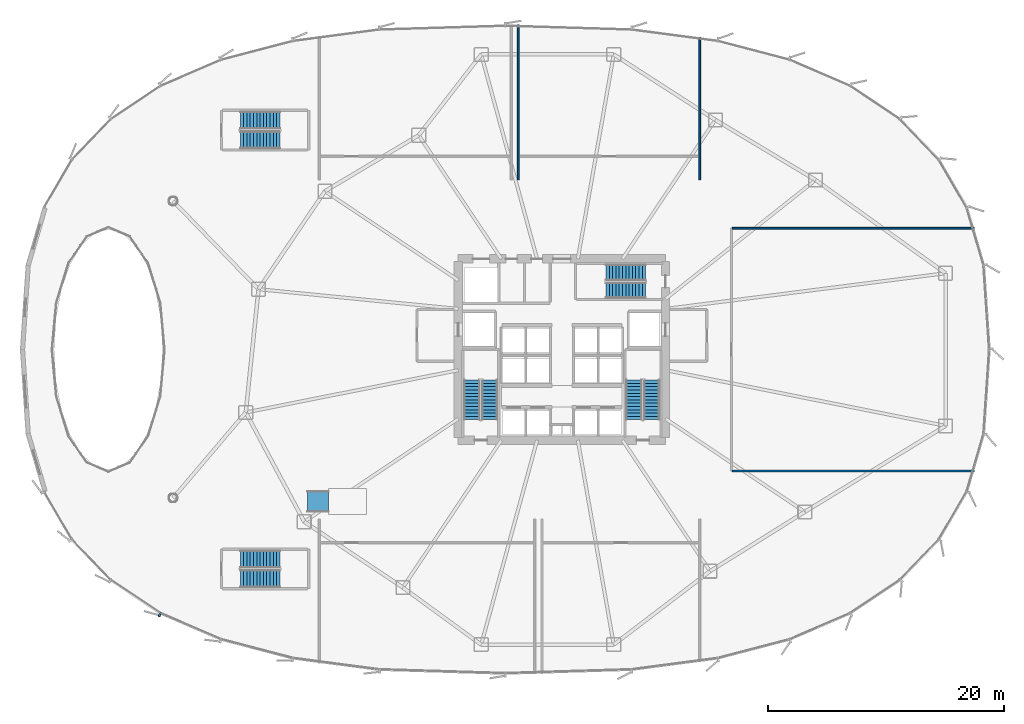
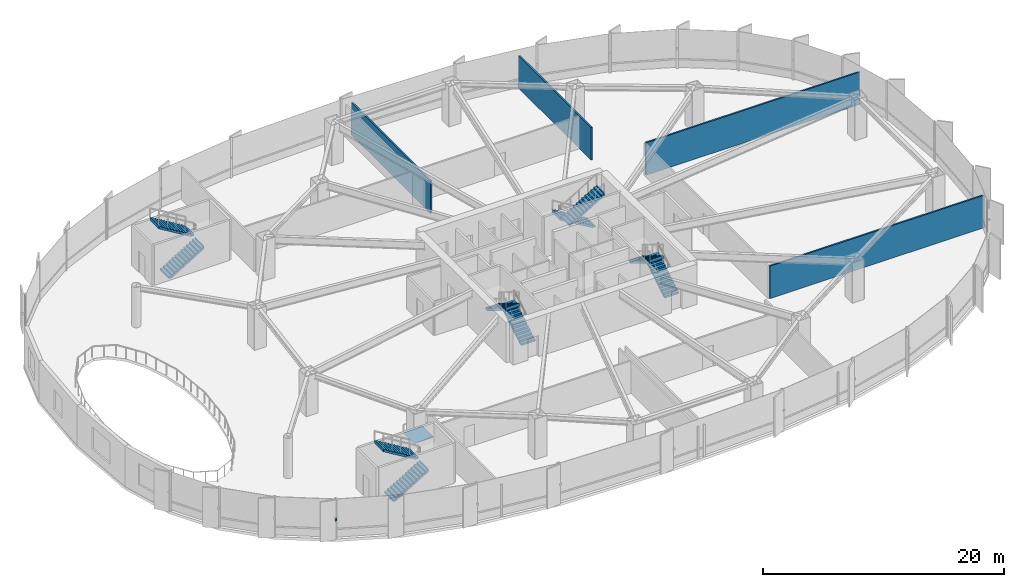
# One storey, part 26 of 34: 10 stair flights, 4 walls, 1 discrete accessory, 1 ramp flight, 6 elements without a shape of their own.
"""IFC4 building model written with IfcOpenShell, lengths in metres."""

from ifc_helpers import new_model, si_unit, direction, frame, frame_2d, origin, origin_2d, place, context, subcontext, project, spatial, polyline, rectangle, outline, extrude, source, transform, mapped, material, layer, layer_set, type_object, element, aggregate, save


model = new_model("IFC4")

# Units and contexts
model_context = context("Model", 3, precision=1e-05, world=origin(), true_north=direction((0.0, 1.0)))
body_context = subcontext(model_context, "Body", "Model", "MODEL_VIEW")
ifc_project = project(units=[si_unit("LENGTHUNIT", "METRE"), si_unit("AREAUNIT", "SQUARE_METRE"), si_unit("VOLUMEUNIT", "CUBIC_METRE"), si_unit("PLANEANGLEUNIT", "RADIAN"), si_unit("MASSUNIT", "GRAM", prefix="KILO"), si_unit("THERMODYNAMICTEMPERATUREUNIT", "KELVIN")], contexts=[model_context])

# Site, building, storey
site_placement = place(None, origin())
site = spatial("IfcSite", under=ifc_project, at=site_placement, CompositionType="ELEMENT")
building_placement = place(site_placement, origin())
building = spatial("IfcBuilding", under=site, at=building_placement, Name="Kethvar Cultural Tower", CompositionType="ELEMENT")
storey_placement = place(building_placement, frame((0.0, 0.0, 19.60009765625)))
storey = spatial("IfcBuildingStorey", under=building, at=storey_placement, Name="L04", CompositionType="ELEMENT", Elevation=19.60009765625)

# Walls
ifc_material_1 = material(Name="Gypsum Acoustic Partition")
ifc_layer_1 = layer(ifc_material_1, 0.14990234375, Name="Gypsum Acoustic Partition")
ifc_layer_set_1 = layer_set([ifc_layer_1], Name="Gypsum Acoustic Partition (150 mm)")
wall_type = type_object("IfcWallType", Name="WL-PART-150", PredefinedType="PARTITIONING", material=ifc_layer_set_1)
for number, where, z_axis, x_axis, name in (
    (1, (61.280029296875, 17.5, 0.0), (0.0, 0.0, 1.0), (1.0, 0.0, 0.0), "L04 Chamber Recital Hall Side Wall B"),
    (2, (61.280029296875, 38.10009765625, 0.0), (0.0, 0.0, 1.0), (1.0, 0.0, 0.0), "L04 Chamber Recital Hall Side Wall T"),
):
    element("IfcWall", number, at=place(storey_placement, frame(where, z_axis=z_axis, x_axis=x_axis)), inside=storey, type_object=wall_type, Name=name, PredefinedType="PARTITIONING", context=body_context, shape_type="SweptSolid", body=[
        extrude(rectangle(XDim=20.521240234375, YDim=0.14990234375, at=frame_2d((10.2607421875, 0.0))), origin(), (0.0, 0.0, 1.0), 3.29296875),
    ])
wall_1_placement = place(storey_placement, frame((43.10009765625, 42.199951171875, 0.0), z_axis=(0.0, 0.0, 1.0), x_axis=(0.0, 1.0, 0.0)))
element("IfcWall", 3, at=wall_1_placement, inside=storey, type_object=wall_type, Name="L04 Library Fellows' Lounge Side Wall L", PredefinedType="PARTITIONING", context=body_context, shape_type="SweptSolid", body=[
    extrude(rectangle(XDim=13.166748046875, YDim=0.14990234375, at=frame_2d((6.58349609375, 0.0))), origin(), (0.0, 0.0, 1.0), 3.29296875),
])
wall_2_placement = place(storey_placement, frame((58.5, 42.199951171875, 0.0), z_axis=(0.0, 0.0, 1.0), x_axis=(0.0, 1.0, 0.0)))
element("IfcWall", 4, at=wall_2_placement, inside=storey, type_object=wall_type, Name="L04 Library Fellows' Lounge Side Wall R", PredefinedType="PARTITIONING", context=body_context, shape_type="SweptSolid", body=[
    extrude(rectangle(XDim=12.11474609375, YDim=0.14990234375, at=frame_2d((6.057373046875, 0.0))), origin(), (0.0, 0.0, 1.0), 3.29296875),
])

# Stair, stair flights
ifc_material_2 = material(Name="Concrete C40/50", Category="concrete")
stair_type_1 = type_object("IfcStairType", Name="ST-DOGLEG-135", PredefinedType="HALF_TURN_STAIR", material=ifc_material_2)
stair_1_placement = place(storey_placement, origin())
stair_1 = element("IfcStair", 5, at=stair_1_placement, inside=storey, type_object=stair_type_1, Name="L04 Core Exit Stair 1", PredefinedType="HALF_TURN_STAIR")
stair_flight_type_1 = type_object("IfcStairFlightType", Name="FL-STRAIGHT-135", PredefinedType="STRAIGHT", material=ifc_material_2)
stair_flight_1_placement = place(storey_placement, frame((40.675048828125, 21.85009765625, 0.0), z_axis=(0.0, 0.0, 1.0), x_axis=(0.0, 1.0, 0.0)))
stair_flight_1 = element("IfcStairFlight", 6, at=stair_flight_1_placement, type_object=stair_flight_type_1, Name="ST-01 flight 1", NumberOfRisers=13, NumberOfTreads=12, PredefinedType="STRAIGHT", RiserHeight=0.169230769, TreadLength=0.28, context=body_context, shape_type="SweptSolid", body=[
    extrude(outline(polyline([(-0.0009765625, -0.0009765625), (-0.0009765625, 0.169189453125), (0.280029296875, 0.169189453125), (0.280029296875, 0.33837890625), (0.56005859375, 0.33837890625), (0.56005859375, 0.5078125), (0.840087890625, 0.5078125), (0.840087890625, 0.677001953125), (1.1201171875, 0.677001953125), (1.1201171875, 0.84619140625), (1.39990234375, 0.84619140625), (1.39990234375, 1.015380859375), (1.679931640625, 1.015380859375), (1.679931640625, 1.1845703125), (1.9599609375, 1.1845703125), (1.9599609375, 1.353759765625), (2.239990234375, 1.353759765625), (2.239990234375, 1.523193359375), (2.52001953125, 1.523193359375), (2.52001953125, 1.6923828125), (2.800048828125, 1.6923828125), (2.800048828125, 1.861572265625), (3.080078125, 1.861572265625), (3.080078125, 2.03076171875), (3.360107421875, 2.03076171875), (3.360107421875, 2.199951171875), (3.361083984375, 2.199951171875), (3.361083984375, 1.855712890625), (0.289794921875, 0.0), (0.0, -0.0009765625), (-0.0009765625, -0.0009765625)])), frame((0.0, 0.675048828125, 0.0), z_axis=(0.0, -1.0, 0.0), x_axis=(1.0, 0.0, 0.0)), (0.0, 0.0, 1.0), 1.35009765625),
])
stair_flight_2_placement = place(storey_placement, frame((39.1650390625, 25.2099609375, 2.199951171875), z_axis=(0.0, 0.0, 1.0), x_axis=(0.0, -1.0, 0.0)))
stair_flight_2 = element("IfcStairFlight", 7, at=stair_flight_2_placement, type_object=stair_flight_type_1, Name="ST-01 flight 2", NumberOfRisers=13, NumberOfTreads=12, PredefinedType="STRAIGHT", RiserHeight=0.169230769, TreadLength=0.28, context=body_context, shape_type="SweptSolid", body=[
    extrude(outline(polyline([(-0.0009765625, -0.0009765625), (-0.0009765625, 0.169189453125), (0.280029296875, 0.169189453125), (0.280029296875, 0.33837890625), (0.56005859375, 0.33837890625), (0.56005859375, 0.5078125), (0.840087890625, 0.5078125), (0.840087890625, 0.677001953125), (1.1201171875, 0.677001953125), (1.1201171875, 0.84619140625), (1.39990234375, 0.84619140625), (1.39990234375, 1.015380859375), (1.679931640625, 1.015380859375), (1.679931640625, 1.1845703125), (1.9599609375, 1.1845703125), (1.9599609375, 1.353759765625), (2.239990234375, 1.353759765625), (2.239990234375, 1.523193359375), (2.52001953125, 1.523193359375), (2.52001953125, 1.6923828125), (2.800048828125, 1.6923828125), (2.800048828125, 1.861572265625), (3.080078125, 1.861572265625), (3.080078125, 2.03076171875), (3.360107421875, 2.03076171875), (3.360107421875, 2.199951171875), (3.361083984375, 2.199951171875), (3.361083984375, 1.855712890625), (0.289794921875, 0.0), (0.0, -0.0009765625), (-0.0009765625, -0.0009765625)])), frame((0.0, 0.675048828125, 0.0), z_axis=(0.0, -1.0, 0.0), x_axis=(1.0, 0.0, 0.0)), (0.0, 0.0, 1.0), 1.35009765625),
])
aggregate(stair_1, [stair_flight_1, stair_flight_2])

stair_2_placement = place(storey_placement, origin())
stair_2 = element("IfcStair", 8, at=stair_2_placement, inside=storey, type_object=stair_type_1, Name="L04 Core Exit Stair 2", PredefinedType="HALF_TURN_STAIR")
stair_flight_3_placement = place(storey_placement, frame((54.43505859375, 21.85009765625, 0.0), z_axis=(0.0, 0.0, 1.0), x_axis=(0.0, 1.0, 0.0)))
stair_flight_3 = element("IfcStairFlight", 9, at=stair_flight_3_placement, type_object=stair_flight_type_1, Name="ST-02 flight 1", NumberOfRisers=13, NumberOfTreads=12, PredefinedType="STRAIGHT", RiserHeight=0.169230769, TreadLength=0.28, context=body_context, shape_type="SweptSolid", body=[
    extrude(outline(polyline([(-0.0009765625, -0.0009765625), (-0.0009765625, 0.169189453125), (0.280029296875, 0.169189453125), (0.280029296875, 0.33837890625), (0.56005859375, 0.33837890625), (0.56005859375, 0.5078125), (0.840087890625, 0.5078125), (0.840087890625, 0.677001953125), (1.1201171875, 0.677001953125), (1.1201171875, 0.84619140625), (1.39990234375, 0.84619140625), (1.39990234375, 1.015380859375), (1.679931640625, 1.015380859375), (1.679931640625, 1.1845703125), (1.9599609375, 1.1845703125), (1.9599609375, 1.353759765625), (2.239990234375, 1.353759765625), (2.239990234375, 1.523193359375), (2.52001953125, 1.523193359375), (2.52001953125, 1.6923828125), (2.800048828125, 1.6923828125), (2.800048828125, 1.861572265625), (3.080078125, 1.861572265625), (3.080078125, 2.03076171875), (3.360107421875, 2.03076171875), (3.360107421875, 2.199951171875), (3.361083984375, 2.199951171875), (3.361083984375, 1.855712890625), (0.289794921875, 0.0), (0.0, -0.0009765625), (-0.0009765625, -0.0009765625)])), frame((0.0, 0.675048828125, 0.0), z_axis=(0.0, -1.0, 0.0), x_axis=(1.0, 0.0, 0.0)), (0.0, 0.0, 1.0), 1.35009765625),
])
stair_flight_4_placement = place(storey_placement, frame((52.925048828125, 25.2099609375, 2.199951171875), z_axis=(0.0, 0.0, 1.0), x_axis=(0.0, -1.0, 0.0)))
stair_flight_4 = element("IfcStairFlight", 10, at=stair_flight_4_placement, type_object=stair_flight_type_1, Name="ST-02 flight 2", NumberOfRisers=13, NumberOfTreads=12, PredefinedType="STRAIGHT", RiserHeight=0.169230769, TreadLength=0.28, context=body_context, shape_type="SweptSolid", body=[
    extrude(outline(polyline([(-0.0009765625, -0.0009765625), (-0.0009765625, 0.169189453125), (0.280029296875, 0.169189453125), (0.280029296875, 0.33837890625), (0.56005859375, 0.33837890625), (0.56005859375, 0.5078125), (0.840087890625, 0.5078125), (0.840087890625, 0.677001953125), (1.1201171875, 0.677001953125), (1.1201171875, 0.84619140625), (1.39990234375, 0.84619140625), (1.39990234375, 1.015380859375), (1.679931640625, 1.015380859375), (1.679931640625, 1.1845703125), (1.9599609375, 1.1845703125), (1.9599609375, 1.353759765625), (2.239990234375, 1.353759765625), (2.239990234375, 1.523193359375), (2.52001953125, 1.523193359375), (2.52001953125, 1.6923828125), (2.800048828125, 1.6923828125), (2.800048828125, 1.861572265625), (3.080078125, 1.861572265625), (3.080078125, 2.03076171875), (3.360107421875, 2.03076171875), (3.360107421875, 2.199951171875), (3.361083984375, 2.199951171875), (3.361083984375, 1.855712890625), (0.289794921875, 0.0), (0.0, -0.0009765625), (-0.0009765625, -0.0009765625)])), frame((0.0, 0.675048828125, 0.0), z_axis=(0.0, -1.0, 0.0), x_axis=(1.0, 0.0, 0.0)), (0.0, 0.0, 1.0), 1.35009765625),
])
aggregate(stair_2, [stair_flight_3, stair_flight_4])

stair_3_placement = place(storey_placement, origin())
stair_3 = element("IfcStair", 11, at=stair_3_placement, inside=storey, type_object=stair_type_1, Name="L04 Core Exit Stair 3", PredefinedType="HALF_TURN_STAIR")
stair_flight_5_placement = place(storey_placement, frame((53.89990234375, 34.3349609375, 0.0), z_axis=(0.0, 0.0, 1.0), x_axis=(-1.0, 0.0, 0.0)))
stair_flight_5 = element("IfcStairFlight", 12, at=stair_flight_5_placement, type_object=stair_flight_type_1, Name="ST-03 flight 1", NumberOfRisers=13, NumberOfTreads=12, PredefinedType="STRAIGHT", RiserHeight=0.169230769, TreadLength=0.28, context=body_context, shape_type="SweptSolid", body=[
    extrude(outline(polyline([(-0.0009765625, -0.0009765625), (-0.0009765625, 0.169189453125), (0.280029296875, 0.169189453125), (0.280029296875, 0.33837890625), (0.56005859375, 0.33837890625), (0.56005859375, 0.5078125), (0.840087890625, 0.5078125), (0.840087890625, 0.677001953125), (1.1201171875, 0.677001953125), (1.1201171875, 0.84619140625), (1.39990234375, 0.84619140625), (1.39990234375, 1.015380859375), (1.679931640625, 1.015380859375), (1.679931640625, 1.1845703125), (1.9599609375, 1.1845703125), (1.9599609375, 1.353759765625), (2.239990234375, 1.353759765625), (2.239990234375, 1.523193359375), (2.52001953125, 1.523193359375), (2.52001953125, 1.6923828125), (2.800048828125, 1.6923828125), (2.800048828125, 1.861572265625), (3.080078125, 1.861572265625), (3.080078125, 2.03076171875), (3.360107421875, 2.03076171875), (3.360107421875, 2.199951171875), (3.361083984375, 2.199951171875), (3.361083984375, 1.855712890625), (0.289794921875, 0.0), (0.0, -0.0009765625), (-0.0009765625, -0.0009765625)])), frame((0.0, 0.675048828125, 0.0), z_axis=(0.0, -1.0, 0.0), x_axis=(1.0, 0.0, 0.0)), (0.0, 0.0, 1.0), 1.35009765625),
])
stair_flight_6_placement = place(storey_placement, frame((50.5400390625, 32.824951171875, 2.199951171875), z_axis=(0.0, 0.0, 1.0), x_axis=(1.0, 0.0, 0.0)))
stair_flight_6 = element("IfcStairFlight", 13, at=stair_flight_6_placement, type_object=stair_flight_type_1, Name="ST-03 flight 2", NumberOfRisers=13, NumberOfTreads=12, PredefinedType="STRAIGHT", RiserHeight=0.169230769, TreadLength=0.28, context=body_context, shape_type="SweptSolid", body=[
    extrude(outline(polyline([(-0.0009765625, -0.0009765625), (-0.0009765625, 0.169189453125), (0.280029296875, 0.169189453125), (0.280029296875, 0.33837890625), (0.56005859375, 0.33837890625), (0.56005859375, 0.5078125), (0.840087890625, 0.5078125), (0.840087890625, 0.677001953125), (1.1201171875, 0.677001953125), (1.1201171875, 0.84619140625), (1.39990234375, 0.84619140625), (1.39990234375, 1.015380859375), (1.679931640625, 1.015380859375), (1.679931640625, 1.1845703125), (1.9599609375, 1.1845703125), (1.9599609375, 1.353759765625), (2.239990234375, 1.353759765625), (2.239990234375, 1.523193359375), (2.52001953125, 1.523193359375), (2.52001953125, 1.6923828125), (2.800048828125, 1.6923828125), (2.800048828125, 1.861572265625), (3.080078125, 1.861572265625), (3.080078125, 2.03076171875), (3.360107421875, 2.03076171875), (3.360107421875, 2.199951171875), (3.361083984375, 2.199951171875), (3.361083984375, 1.855712890625), (0.289794921875, 0.0), (0.0, -0.0009765625), (-0.0009765625, -0.0009765625)])), frame((0.0, 0.675048828125, 0.0), z_axis=(0.0, -1.0, 0.0), x_axis=(1.0, 0.0, 0.0)), (0.0, 0.0, 1.0), 1.35009765625),
])
aggregate(stair_3, [stair_flight_5, stair_flight_6])

stair_type_2 = type_object("IfcStairType", Name="ST-DOGLEG-150", PredefinedType="HALF_TURN_STAIR", material=ifc_material_2)
stair_4_placement = place(storey_placement, origin())
stair_4 = element("IfcStair", 14, at=stair_4_placement, inside=storey, type_object=stair_type_2, Name="L04 Podium Auditorium Exit Stair 4", PredefinedType="HALF_TURN_STAIR")
stair_flight_type_2 = type_object("IfcStairFlightType", Name="FL-STRAIGHT-150", PredefinedType="STRAIGHT", material=ifc_material_2)
stair_flight_7_placement = place(storey_placement, frame((19.5, 8.35009765625, 0.0), z_axis=(0.0, 0.0, 1.0), x_axis=(1.0, 0.0, 0.0)))
stair_flight_7 = element("IfcStairFlight", 15, at=stair_flight_7_placement, type_object=stair_flight_type_2, Name="ST-04 flight 1", NumberOfRisers=13, NumberOfTreads=12, PredefinedType="STRAIGHT", RiserHeight=0.169230769, TreadLength=0.28, context=body_context, shape_type="SweptSolid", body=[
    extrude(outline(polyline([(-0.0009765625, -0.0009765625), (-0.0009765625, 0.169189453125), (0.280029296875, 0.169189453125), (0.280029296875, 0.33837890625), (0.56005859375, 0.33837890625), (0.56005859375, 0.5078125), (0.840087890625, 0.5078125), (0.840087890625, 0.677001953125), (1.1201171875, 0.677001953125), (1.1201171875, 0.84619140625), (1.39990234375, 0.84619140625), (1.39990234375, 1.015380859375), (1.679931640625, 1.015380859375), (1.679931640625, 1.1845703125), (1.9599609375, 1.1845703125), (1.9599609375, 1.353759765625), (2.239990234375, 1.353759765625), (2.239990234375, 1.523193359375), (2.52001953125, 1.523193359375), (2.52001953125, 1.6923828125), (2.800048828125, 1.6923828125), (2.800048828125, 1.861572265625), (3.080078125, 1.861572265625), (3.080078125, 2.03076171875), (3.360107421875, 2.03076171875), (3.360107421875, 2.199951171875), (3.361083984375, 2.199951171875), (3.361083984375, 1.855712890625), (0.289794921875, 0.0), (0.0, -0.0009765625), (-0.0009765625, -0.0009765625)])), frame((0.0, 0.75, 0.0), z_axis=(0.0, -1.0, 0.0), x_axis=(1.0, 0.0, 0.0)), (0.0, 0.0, 1.0), 1.5),
])
stair_flight_8_placement = place(storey_placement, frame((22.860107421875, 10.010009765625, 2.199951171875), z_axis=(0.0, 0.0, 1.0), x_axis=(-1.0, 0.0, 0.0)))
stair_flight_8 = element("IfcStairFlight", 16, at=stair_flight_8_placement, type_object=stair_flight_type_2, Name="ST-04 flight 2", NumberOfRisers=13, NumberOfTreads=12, PredefinedType="STRAIGHT", RiserHeight=0.169230769, TreadLength=0.28, context=body_context, shape_type="SweptSolid", body=[
    extrude(outline(polyline([(-0.0009765625, -0.0009765625), (-0.0009765625, 0.169189453125), (0.280029296875, 0.169189453125), (0.280029296875, 0.33837890625), (0.56005859375, 0.33837890625), (0.56005859375, 0.5078125), (0.840087890625, 0.5078125), (0.840087890625, 0.677001953125), (1.1201171875, 0.677001953125), (1.1201171875, 0.84619140625), (1.39990234375, 0.84619140625), (1.39990234375, 1.015380859375), (1.679931640625, 1.015380859375), (1.679931640625, 1.1845703125), (1.9599609375, 1.1845703125), (1.9599609375, 1.353759765625), (2.239990234375, 1.353759765625), (2.239990234375, 1.523193359375), (2.52001953125, 1.523193359375), (2.52001953125, 1.6923828125), (2.800048828125, 1.6923828125), (2.800048828125, 1.861572265625), (3.080078125, 1.861572265625), (3.080078125, 2.03076171875), (3.360107421875, 2.03076171875), (3.360107421875, 2.199951171875), (3.361083984375, 2.199951171875), (3.361083984375, 1.855712890625), (0.289794921875, 0.0), (0.0, -0.0009765625), (-0.0009765625, -0.0009765625)])), frame((0.0, 0.75, 0.0), z_axis=(0.0, -1.0, 0.0), x_axis=(1.0, 0.0, 0.0)), (0.0, 0.0, 1.0), 1.5),
])
aggregate(stair_4, [stair_flight_7, stair_flight_8])

stair_5_placement = place(storey_placement, origin())
stair_5 = element("IfcStair", 17, at=stair_5_placement, inside=storey, type_object=stair_type_2, Name="L04 Podium Auditorium Exit Stair 5", PredefinedType="HALF_TURN_STAIR")
stair_flight_9_placement = place(storey_placement, frame((19.5, 45.590087890625, 0.0), z_axis=(0.0, 0.0, 1.0), x_axis=(1.0, 0.0, 0.0)))
stair_flight_9 = element("IfcStairFlight", 18, at=stair_flight_9_placement, type_object=stair_flight_type_2, Name="ST-05 flight 1", NumberOfRisers=13, NumberOfTreads=12, PredefinedType="STRAIGHT", RiserHeight=0.169230769, TreadLength=0.28, context=body_context, shape_type="SweptSolid", body=[
    extrude(outline(polyline([(-0.0009765625, -0.0009765625), (-0.0009765625, 0.169189453125), (0.280029296875, 0.169189453125), (0.280029296875, 0.33837890625), (0.56005859375, 0.33837890625), (0.56005859375, 0.5078125), (0.840087890625, 0.5078125), (0.840087890625, 0.677001953125), (1.1201171875, 0.677001953125), (1.1201171875, 0.84619140625), (1.39990234375, 0.84619140625), (1.39990234375, 1.015380859375), (1.679931640625, 1.015380859375), (1.679931640625, 1.1845703125), (1.9599609375, 1.1845703125), (1.9599609375, 1.353759765625), (2.239990234375, 1.353759765625), (2.239990234375, 1.523193359375), (2.52001953125, 1.523193359375), (2.52001953125, 1.6923828125), (2.800048828125, 1.6923828125), (2.800048828125, 1.861572265625), (3.080078125, 1.861572265625), (3.080078125, 2.03076171875), (3.360107421875, 2.03076171875), (3.360107421875, 2.199951171875), (3.361083984375, 2.199951171875), (3.361083984375, 1.855712890625), (0.289794921875, 0.0), (0.0, -0.0009765625), (-0.0009765625, -0.0009765625)])), frame((0.0, 0.75, 0.0), z_axis=(0.0, -1.0, 0.0), x_axis=(1.0, 0.0, 0.0)), (0.0, 0.0, 1.0), 1.5),
])
stair_flight_10_placement = place(storey_placement, frame((22.860107421875, 47.25, 2.199951171875), z_axis=(0.0, 0.0, 1.0), x_axis=(-1.0, 0.0, 0.0)))
stair_flight_10 = element("IfcStairFlight", 19, at=stair_flight_10_placement, type_object=stair_flight_type_2, Name="ST-05 flight 2", NumberOfRisers=13, NumberOfTreads=12, PredefinedType="STRAIGHT", RiserHeight=0.169230769, TreadLength=0.28, context=body_context, shape_type="SweptSolid", body=[
    extrude(outline(polyline([(-0.0009765625, -0.0009765625), (-0.0009765625, 0.169189453125), (0.280029296875, 0.169189453125), (0.280029296875, 0.33837890625), (0.56005859375, 0.33837890625), (0.56005859375, 0.5078125), (0.840087890625, 0.5078125), (0.840087890625, 0.677001953125), (1.1201171875, 0.677001953125), (1.1201171875, 0.84619140625), (1.39990234375, 0.84619140625), (1.39990234375, 1.015380859375), (1.679931640625, 1.015380859375), (1.679931640625, 1.1845703125), (1.9599609375, 1.1845703125), (1.9599609375, 1.353759765625), (2.239990234375, 1.353759765625), (2.239990234375, 1.523193359375), (2.52001953125, 1.523193359375), (2.52001953125, 1.6923828125), (2.800048828125, 1.6923828125), (2.800048828125, 1.861572265625), (3.080078125, 1.861572265625), (3.080078125, 2.03076171875), (3.360107421875, 2.03076171875), (3.360107421875, 2.199951171875), (3.361083984375, 2.199951171875), (3.361083984375, 1.855712890625), (0.289794921875, 0.0), (0.0, -0.0009765625), (-0.0009765625, -0.0009765625)])), frame((0.0, 0.75, 0.0), z_axis=(0.0, -1.0, 0.0), x_axis=(1.0, 0.0, 0.0)), (0.0, 0.0, 1.0), 1.5),
])
aggregate(stair_5, [stair_flight_9, stair_flight_10])

# Ramp, ramp flight
ramp_type = type_object("IfcRampType", Name="RMP-ACC-1800", PredefinedType="STRAIGHT_RUN_RAMP", material=ifc_material_2)
ramp_placement = place(storey_placement, origin())
ramp = element("IfcRamp", 20, at=ramp_placement, inside=storey, type_object=ramp_type, Name="L04 Accessible Foyer Ramp 5", PredefinedType="STRAIGHT_RUN_RAMP")
ifc_layer_2 = layer(ifc_material_2, 0.1201171875, Name="Concrete C40/50", Category="concrete")
ifc_layer_set_2 = layer_set([ifc_layer_2], Name="Concrete C40/50 (120 mm)")
ramp_flight_type = type_object("IfcRampFlightType", Name="RFL-ACC-1800", PredefinedType="STRAIGHT", material=ifc_layer_set_2)
ramp_flight_placement = place(storey_placement, frame((25.199951171875, 14.89990234375, 0.0), z_axis=(0.0, 0.0, 1.0), x_axis=(1.0, 0.0, 0.0)))
ramp_flight = element("IfcRampFlight", 21, at=ramp_flight_placement, type_object=ramp_flight_type, Name="L04 Accessible Foyer Ramp Flight 5", PredefinedType="STRAIGHT", context=body_context, shape_type="SweptSolid", body=[
    extrude(outline(polyline([(-0.0009765625, -0.0009765625), (1.801025390625, -0.0009765625), (1.801025390625, 0.119873046875), (-0.0009765625, 0.008056640625), (-0.0009765625, -0.0009765625)])), frame((0.0, 0.89990234375, 0.0), z_axis=(0.0, -1.0, 0.0), x_axis=(1.0, 0.0, 0.0)), (0.0, 0.0, 1.0), 1.800048828125),
])
aggregate(ramp, [ramp_flight])

# Discrete accessory
ifc_material_3 = material(Name="Steel S355J2", Category="steel")
discrete_accessory_type = type_object("IfcDiscreteAccessoryType", Name="Steel Fin Bracket BRK-01", PredefinedType="BRACKET", material=ifc_material_3)
shared_shape = source(origin(), body_context, "Body", "SweptSolid", [
    extrude(rectangle(XDim=0.3798828125, YDim=0.159912109375, at=origin_2d()), origin(), (0.0, 0.0, 1.0), 0.179931640625),
])
discrete_accessory_placement = place(storey_placement, frame((12.669677734375, 5.306884765625, 1.94970703125), z_axis=(0.0, 0.0, 1.0), x_axis=(-0.396346847517, -0.9181008531, 0.0)))
element("IfcDiscreteAccessory", 22, at=discrete_accessory_placement, inside=storey, type_object=discrete_accessory_type, Name="L04 Terracotta Fin Bracket 4.4", PredefinedType="BRACKET", context=body_context, shape_type="MappedRepresentation", body=[
    mapped(shared_shape, transform((0.0, 0.0, 0.0), scale=1.0)),
])

save(model, "model.ifc")
